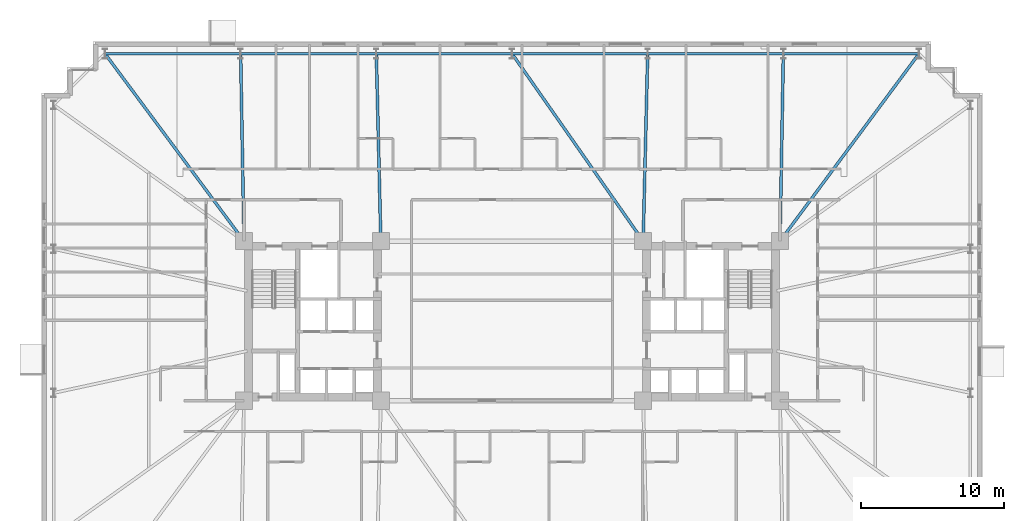
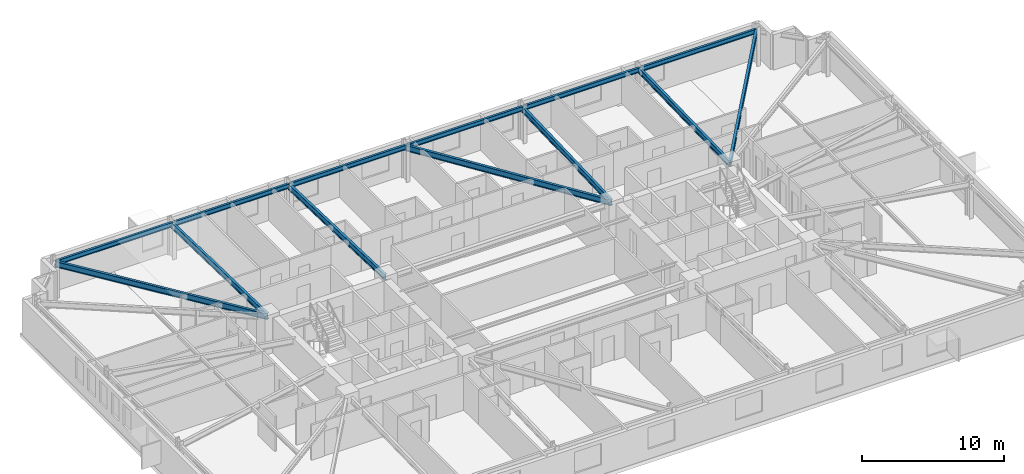
# One storey, part 9 of 22: 13 beams.
"""IFC4 building model written with IfcOpenShell, lengths in metres."""

from ifc_helpers import new_model, si_unit, direction, frame, origin, origin_2d, place, context, subcontext, project, spatial, i_section, extrude, material, material_profile, profile_set, type_object, element, save


model = new_model("IFC4")

# Units and contexts
model_context = context("Model", 3, precision=1e-05, world=origin(), true_north=direction((0.0, 1.0)))
body_context = subcontext(model_context, "Body", "Model", "MODEL_VIEW")
ifc_project = project(units=[si_unit("LENGTHUNIT", "METRE"), si_unit("AREAUNIT", "SQUARE_METRE"), si_unit("VOLUMEUNIT", "CUBIC_METRE"), si_unit("PLANEANGLEUNIT", "RADIAN"), si_unit("MASSUNIT", "GRAM", prefix="KILO")], contexts=[model_context])

# Site, building, storey
site_placement = place(None, origin())
site = spatial("IfcSite", under=ifc_project, at=site_placement, CompositionType="ELEMENT")
building_placement = place(site_placement, origin())
building = spatial("IfcBuilding", under=site, at=building_placement, Name="Qobustan Lattice House", CompositionType="ELEMENT")
storey_placement = place(building_placement, frame((0.0, 0.0, 53.800048828125)))
storey = spatial("IfcBuildingStorey", under=building, at=storey_placement, Name="L14", CompositionType="ELEMENT", Elevation=53.800048828125)

# Beams
ifc_material_1 = material(Name="Steel S355", Category="steel")
ifc_material_profile_1 = material_profile(ifc_material_1, i_section(OverallWidth=0.199951171875, OverallDepth=0.5, WebThickness=0.01025390625, FlangeThickness=0.01611328125, FilletRadius=0.02099609375, at=origin_2d()), Name="IPE500")
ifc_profile_set_1 = profile_set([ifc_material_profile_1], Name="Steel S355")
beam_type_1 = type_object("IfcBeamType", Name="BM-FLG-IPE500", PredefinedType="USERDEFINED", material=ifc_profile_set_1)
beam_1_placement = place(storey_placement, frame((-28.53515625, 18.72998046875, 2.784912109375), z_axis=(0.5955916815, -0.803287338956, 0.0), x_axis=(0.803287338956, 0.5955916815, 0.0)))
element("IfcBeam", 1, at=beam_1_placement, inside=storey, type_object=beam_type_1, Name="L14 primary floor girder RAD-N7W", ObjectType="GIRDER", PredefinedType="USERDEFINED", context=body_context, shape_type="SweptSolid", body=[
    extrude(i_section(OverallWidth=0.199951171875, OverallDepth=0.5, WebThickness=0.01025390625, FlangeThickness=0.01611328125, FilletRadius=0.02099609375, at=origin_2d()), origin(), (0.0, 0.0, 1.0), 16.3203125),
])
beam_2_placement = place(storey_placement, frame((-19.032958984375, 18.72509765625, 2.784912109375), z_axis=(0.017757831607, -0.999842317276, 0.0), x_axis=(0.999842317276, 0.017757831607, 0.0)))
element("IfcBeam", 2, at=beam_2_placement, inside=storey, type_object=beam_type_1, Name="L14 primary floor girder RAD-N6", ObjectType="GIRDER", PredefinedType="USERDEFINED", context=body_context, shape_type="SweptSolid", body=[
    extrude(i_section(OverallWidth=0.199951171875, OverallDepth=0.5, WebThickness=0.01025390625, FlangeThickness=0.01611328125, FilletRadius=0.02099609375, at=origin_2d()), origin(), (0.0, 0.0, 1.0), 13.10205078125),
])
beam_3_placement = place(storey_placement, frame((-9.51611328125, 18.72509765625, 2.784912109375), z_axis=(0.024071445657, -0.999710240772, 0.0), x_axis=(0.999710240772, 0.024071445657, 0.0)))
element("IfcBeam", 3, at=beam_3_placement, inside=storey, type_object=beam_type_1, Name="L14 primary floor girder RAD-N5", ObjectType="GIRDER", PredefinedType="USERDEFINED", context=body_context, shape_type="SweptSolid", body=[
    extrude(i_section(OverallWidth=0.199951171875, OverallDepth=0.5, WebThickness=0.01025390625, FlangeThickness=0.01611328125, FilletRadius=0.02099609375, at=origin_2d()), origin(), (0.0, 0.0, 1.0), 13.10400390625),
])
beam_4_placement = place(storey_placement, frame((0.014404296875, 18.7294921875, 2.784912109375), z_axis=(0.57325954206, -0.819373844736, 0.0), x_axis=(0.819373844736, 0.57325954206, 0.0)))
element("IfcBeam", 4, at=beam_4_placement, inside=storey, type_object=beam_type_1, Name="L14 primary floor girder RAD-N4", ObjectType="GIRDER", PredefinedType="USERDEFINED", context=body_context, shape_type="SweptSolid", body=[
    extrude(i_section(OverallWidth=0.199951171875, OverallDepth=0.5, WebThickness=0.01025390625, FlangeThickness=0.01611328125, FilletRadius=0.02099609375, at=origin_2d()), origin(), (0.0, 0.0, 1.0), 15.998779296875),
])
beam_5_placement = place(storey_placement, frame((9.51611328125, 18.72509765625, 2.784912109375), z_axis=(-0.024071445657, -0.999710240772, 0.0), x_axis=(0.999710240772, -0.024071445657, 0.0)))
element("IfcBeam", 5, at=beam_5_placement, inside=storey, type_object=beam_type_1, Name="L14 primary floor girder RAD-N3", ObjectType="GIRDER", PredefinedType="USERDEFINED", context=body_context, shape_type="SweptSolid", body=[
    extrude(i_section(OverallWidth=0.199951171875, OverallDepth=0.5, WebThickness=0.01025390625, FlangeThickness=0.01611328125, FilletRadius=0.02099609375, at=origin_2d()), origin(), (0.0, 0.0, 1.0), 13.10400390625),
])
beam_6_placement = place(storey_placement, frame((19.032958984375, 18.72509765625, 2.784912109375), z_axis=(-0.017757831607, -0.999842317276, 0.0), x_axis=(0.999842317276, -0.017757831607, 0.0)))
element("IfcBeam", 6, at=beam_6_placement, inside=storey, type_object=beam_type_1, Name="L14 primary floor girder RAD-N2", ObjectType="GIRDER", PredefinedType="USERDEFINED", context=body_context, shape_type="SweptSolid", body=[
    extrude(i_section(OverallWidth=0.199951171875, OverallDepth=0.5, WebThickness=0.01025390625, FlangeThickness=0.01611328125, FilletRadius=0.02099609375, at=origin_2d()), origin(), (0.0, 0.0, 1.0), 13.10205078125),
])
beam_7_placement = place(storey_placement, frame((28.53515625, 18.72998046875, 2.784912109375), z_axis=(-0.5955916815, -0.803287338956, 0.0), x_axis=(0.803287338956, -0.5955916815, 0.0)))
element("IfcBeam", 7, at=beam_7_placement, inside=storey, type_object=beam_type_1, Name="L14 primary floor girder RAD-N1E", ObjectType="GIRDER", PredefinedType="USERDEFINED", context=body_context, shape_type="SweptSolid", body=[
    extrude(i_section(OverallWidth=0.199951171875, OverallDepth=0.5, WebThickness=0.01025390625, FlangeThickness=0.01611328125, FilletRadius=0.02099609375, at=origin_2d()), origin(), (0.0, 0.0, 1.0), 16.3203125),
])
ifc_material_2 = material(Name="Steel S355", Category="steel")
ifc_material_profile_2 = material_profile(ifc_material_2, i_section(OverallWidth=0.179931640625, OverallDepth=0.39990234375, WebThickness=0.008544921875, FlangeThickness=0.013427734375, FilletRadius=0.02099609375, at=origin_2d()), Name="IPE400")
ifc_profile_set_2 = profile_set([ifc_material_profile_2], Name="Steel S355")
beam_type_2 = type_object("IfcBeamType", Name="BM-SPD-IPE400", PredefinedType="SPANDREL", material=ifc_profile_set_2)
for number, where, z_axis, x_axis, name in (
    (8, (28.52490234375, 18.75, 2.8349609375), (-1.0, 0.0, 0.0), (0.0, -1.0, 0.0), "L14 perimeter spandrel N1-N2"),
    (9, (19.00830078125, 18.75, 2.8349609375), (-1.0, 0.0, 0.0), (0.0, -1.0, 0.0), "L14 perimeter spandrel N2-N3"),
):
    element("IfcBeam", number, at=place(storey_placement, frame(where, z_axis=z_axis, x_axis=x_axis)), inside=storey, type_object=beam_type_2, Name=name, PredefinedType="SPANDREL", context=body_context, shape_type="SweptSolid", body=[
        extrude(i_section(OverallWidth=0.179931640625, OverallDepth=0.39990234375, WebThickness=0.008544921875, FlangeThickness=0.013427734375, FilletRadius=0.02099609375, at=origin_2d()), origin(), (0.0, 0.0, 1.0), 9.466552734375),
    ])
for number, where, z_axis, x_axis, name in (
    (10, (9.49169921875, 18.75, 2.8349609375), (-1.0, 0.0, 0.0), (0.0, -1.0, 0.0), "L14 perimeter spandrel N3-N4"),
    (11, (-0.02490234375, 18.75, 2.8349609375), (-1.0, 0.0, 0.0), (0.0, -1.0, 0.0), "L14 perimeter spandrel N4-N5"),
):
    element("IfcBeam", number, at=place(storey_placement, frame(where, z_axis=z_axis, x_axis=x_axis)), inside=storey, type_object=beam_type_2, Name=name, PredefinedType="SPANDREL", context=body_context, shape_type="SweptSolid", body=[
        extrude(i_section(OverallWidth=0.179931640625, OverallDepth=0.39990234375, WebThickness=0.008544921875, FlangeThickness=0.013427734375, FilletRadius=0.02099609375, at=origin_2d()), origin(), (0.0, 0.0, 1.0), 9.466796875),
    ])
for number, where, z_axis, x_axis, name in (
    (12, (-9.541748046875, 18.75, 2.8349609375), (-1.0, 0.0, 0.0), (0.0, -1.0, 0.0), "L14 perimeter spandrel N5-N6"),
    (13, (-19.058349609375, 18.75, 2.8349609375), (-1.0, 0.0, 0.0), (0.0, -1.0, 0.0), "L14 perimeter spandrel N6-N7"),
):
    element("IfcBeam", number, at=place(storey_placement, frame(where, z_axis=z_axis, x_axis=x_axis)), inside=storey, type_object=beam_type_2, Name=name, PredefinedType="SPANDREL", context=body_context, shape_type="SweptSolid", body=[
        extrude(i_section(OverallWidth=0.179931640625, OverallDepth=0.39990234375, WebThickness=0.008544921875, FlangeThickness=0.013427734375, FilletRadius=0.02099609375, at=origin_2d()), origin(), (0.0, 0.0, 1.0), 9.466552734375),
    ])

save(model, "model.ifc")
